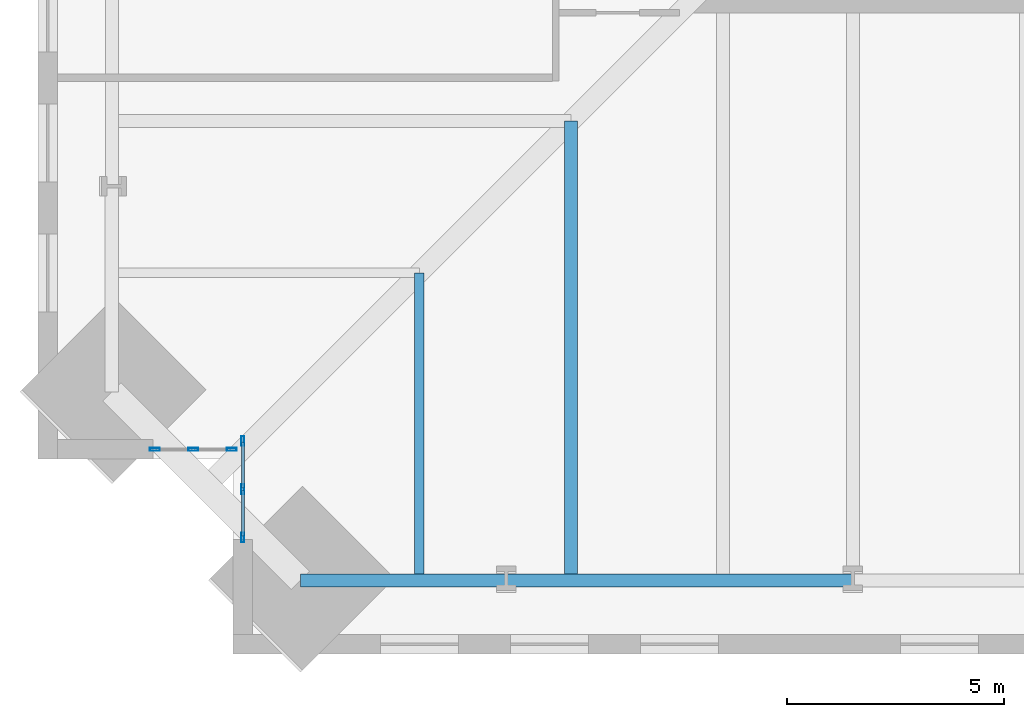
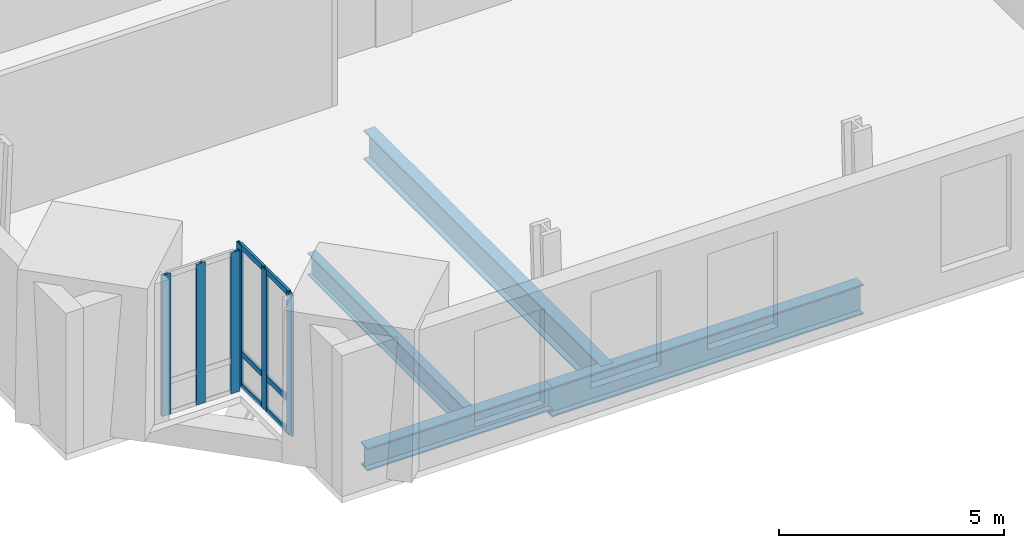
# One storey, part 2 of 17: 12 members, 4 beams, 2 elements without a shape of their own.
"""IFC4 building model written with IfcOpenShell, lengths in metres."""

from ifc_helpers import new_model, si_unit, direction, frame, origin, origin_2d, place, context, subcontext, project, spatial, hollow_rectangle, i_section, extrude, material, material_profile, profile_set, type_object, element, aggregate, save


model = new_model("IFC4")

# Units and contexts
model_context = context("Model", 3, precision=1e-05, world=origin(), true_north=direction((0.0, 1.0)))
body_context = subcontext(model_context, "Body", "Model", "MODEL_VIEW")
ifc_project = project(units=[si_unit("LENGTHUNIT", "METRE"), si_unit("AREAUNIT", "SQUARE_METRE"), si_unit("VOLUMEUNIT", "CUBIC_METRE"), si_unit("PLANEANGLEUNIT", "RADIAN"), si_unit("MASSUNIT", "GRAM", prefix="KILO")], contexts=[model_context])

# Site, building, storey
site_placement = place(None, origin())
site = spatial("IfcSite", under=ifc_project, at=site_placement, CompositionType="ELEMENT")
building_placement = place(site_placement, origin())
building = spatial("IfcBuilding", under=site, at=building_placement, Name="Peilmerk Tower", CompositionType="ELEMENT")
storey_placement = place(building_placement, frame((0.0, 0.0, 143.800048828125)))
storey = spatial("IfcBuildingStorey", under=building, at=storey_placement, Name="L29", CompositionType="ELEMENT", Elevation=143.800048828125)

# Beams
ifc_material_1 = material(Name="Steel S355", Category="steel")
ifc_material_profile_1 = material_profile(ifc_material_1, i_section(OverallWidth=0.219970703125, OverallDepth=0.60009765625, WebThickness=0.011962890625, FlangeThickness=0.01904296875, at=origin_2d()), Name="IPE 600")
ifc_profile_set_1 = profile_set([ifc_material_profile_1], Name="Steel S355")
beam_type_1 = type_object("IfcBeamType", Name="B10 IPE 600 floor beam", PredefinedType="BEAM", material=ifc_profile_set_1)
beam_1_placement = place(storey_placement, frame((-18.0, -18.0, -0.469970703125), z_axis=(0.0, -1.0, 0.0), x_axis=(1.0, 0.0, 0.0)))
element("IfcBeam", 1, at=beam_1_placement, inside=storey, type_object=beam_type_1, Name="Floor beam L29", PredefinedType="BEAM", context=body_context, shape_type="SweptSolid", body=[
    extrude(i_section(OverallWidth=0.219970703125, OverallDepth=0.60009765625, WebThickness=0.011962890625, FlangeThickness=0.01904296875, at=origin_2d()), origin(), (0.0, 0.0, 1.0), 7.098388671875),
])
ifc_material_profile_2 = material_profile(ifc_material_1, i_section(OverallWidth=0.302978515625, OverallDepth=0.81396484375, WebThickness=0.02099609375, FlangeThickness=0.0400390625, at=origin_2d()), Name="HEM 800")
ifc_profile_set_2 = profile_set([ifc_material_profile_2], Name="Steel S355")
beam_type_2 = type_object("IfcBeamType", Name="B15 HEM 800 edge beam", PredefinedType="SPANDREL", material=ifc_profile_set_2)
beam_2_placement = place(storey_placement, frame((-16.0, -25.098388671875, -0.5771484375), z_axis=(1.0, 0.0, 0.0), x_axis=(0.0, 1.0, 0.0)))
element("IfcBeam", 2, at=beam_2_placement, inside=storey, type_object=beam_type_2, Name="Edge beam L29", PredefinedType="SPANDREL", context=body_context, shape_type="SweptSolid", body=[
    extrude(i_section(OverallWidth=0.302978515625, OverallDepth=0.81396484375, WebThickness=0.02099609375, FlangeThickness=0.0400390625, at=origin_2d()), origin(), (0.0, 0.0, 1.0), 8.0),
])
ifc_material_profile_3 = material_profile(ifc_material_1, i_section(OverallWidth=0.300048828125, OverallDepth=0.7900390625, WebThickness=0.014892578125, FlangeThickness=0.028076171875, at=origin_2d()), Name="HEA 800")
ifc_profile_set_3 = profile_set([ifc_material_profile_3], Name="Steel S355")
beam_type_3 = type_object("IfcBeamType", Name="B3 HEA 800 floor beam", PredefinedType="BEAM", material=ifc_profile_set_3)
beam_3_placement = place(storey_placement, frame((-14.5, -14.5, -0.56494140625), z_axis=(0.0, -1.0, 0.0), x_axis=(1.0, 0.0, 0.0)))
element("IfcBeam", 3, at=beam_3_placement, inside=storey, type_object=beam_type_3, Name="Floor beam L29", PredefinedType="BEAM", context=body_context, shape_type="SweptSolid", body=[
    extrude(i_section(OverallWidth=0.300048828125, OverallDepth=0.7900390625, WebThickness=0.014892578125, FlangeThickness=0.028076171875, at=origin_2d()), origin(), (0.0, 0.0, 1.0), 10.598388671875),
])
ifc_material_profile_4 = material_profile(ifc_material_1, i_section(OverallWidth=0.304931640625, OverallDepth=0.6201171875, WebThickness=0.02099609375, FlangeThickness=0.0400390625, at=origin_2d()), Name="HEM 600")
ifc_profile_set_4 = profile_set([ifc_material_profile_4], Name="Steel S355")
beam_type_4 = type_object("IfcBeamType", Name="B31 HEM 600 edge beam", PredefinedType="SPANDREL", material=ifc_profile_set_4)
beam_4_placement = place(storey_placement, frame((-20.748291015625, -25.098388671875, -0.47998046875), z_axis=(1.0, 0.0, 0.0), x_axis=(0.0, 1.0, 0.0)))
element("IfcBeam", 4, at=beam_4_placement, inside=storey, type_object=beam_type_4, Name="Edge beam L29", PredefinedType="SPANDREL", context=body_context, shape_type="SweptSolid", body=[
    extrude(i_section(OverallWidth=0.304931640625, OverallDepth=0.6201171875, WebThickness=0.02099609375, FlangeThickness=0.0400390625, at=origin_2d()), origin(), (0.0, 0.0, 1.0), 4.748291015625),
])

# Curtain wall, members
ifc_material_2 = material(Name="Aluminium stick curtain wall", Category="aluminium")
curtain_wall_type = type_object("IfcCurtainWallType", Name="CW3 stick curtain wall, 2250 module", PredefinedType="NOTDEFINED", material=ifc_material_2)
curtain_wall_1_placement = place(storey_placement, origin())
curtain_wall_1 = element("IfcCurtainWall", 5, at=curtain_wall_1_placement, inside=storey, type_object=curtain_wall_type, Name="Curtain wall CW3 SWA L29", PredefinedType="NOTDEFINED")
ifc_material_3 = material(Name="Aluminium EN AW-6063 T6", Category="aluminium")
ifc_material_profile_5 = material_profile(ifc_material_3, hollow_rectangle(XDim=0.06494140625, YDim=0.22509765625, WallThickness=0.00390625, at=origin_2d()), Name="AL 225x65x4")
ifc_profile_set_5 = profile_set([ifc_material_profile_5], Name="Aluminium EN AW-6063 T6")
member_type_1 = type_object("IfcMemberType", Name="CW3-M AL 225x65x4 mullion", PredefinedType="MULLION", material=ifc_profile_set_5)
member_1_placement = place(storey_placement, frame((-22.074951171875, -21.882568359375, 0.0), z_axis=(0.0, 0.0, 1.0), x_axis=(1.0, 0.0, 0.0)))
member_1 = element("IfcMember", 6, at=member_1_placement, type_object=member_type_1, Name="CW3 mullion 1", PredefinedType="MULLION", context=body_context, shape_type="SweptSolid", body=[
    extrude(hollow_rectangle(XDim=0.06494140625, YDim=0.22509765625, WallThickness=0.00390625, at=origin_2d()), origin(), (0.0, 0.0, 1.0), 3.829833984375),
])
member_2_placement = place(storey_placement, frame((-22.074951171875, -22.994384765625, 0.0), z_axis=(0.0, 0.0, 1.0), x_axis=(1.0, 0.0, 0.0)))
member_2 = element("IfcMember", 7, at=member_2_placement, type_object=member_type_1, Name="CW3 mullion 2", PredefinedType="MULLION", context=body_context, shape_type="SweptSolid", body=[
    extrude(hollow_rectangle(XDim=0.06494140625, YDim=0.22509765625, WallThickness=0.00390625, at=origin_2d()), origin(), (0.0, 0.0, 1.0), 3.829833984375),
])
member_3_placement = place(storey_placement, frame((-22.074951171875, -24.106201171875, 0.0), z_axis=(0.0, 0.0, 1.0), x_axis=(1.0, 0.0, 0.0)))
member_3 = element("IfcMember", 8, at=member_3_placement, type_object=member_type_1, Name="CW3 mullion 3", PredefinedType="MULLION", context=body_context, shape_type="SweptSolid", body=[
    extrude(hollow_rectangle(XDim=0.06494140625, YDim=0.22509765625, WallThickness=0.00390625, at=origin_2d()), origin(), (0.0, 0.0, 1.0), 3.829833984375),
])

curtain_wall_2_placement = place(storey_placement, origin())
curtain_wall_2 = element("IfcCurtainWall", 9, at=curtain_wall_2_placement, inside=storey, type_object=curtain_wall_type, Name="Curtain wall CW3 SWB L29", PredefinedType="NOTDEFINED")
member_4_placement = place(storey_placement, frame((-22.33251953125, -22.074951171875, 0.0), z_axis=(0.0, 0.0, 1.0), x_axis=(0.0, -1.0, 0.0)))
member_4 = element("IfcMember", 10, at=member_4_placement, type_object=member_type_1, Name="CW3 mullion 1", PredefinedType="MULLION", context=body_context, shape_type="SweptSolid", body=[
    extrude(hollow_rectangle(XDim=0.06494140625, YDim=0.22509765625, WallThickness=0.00390625, at=origin_2d()), origin(), (0.0, 0.0, 1.0), 3.829833984375),
])
member_5_placement = place(storey_placement, frame((-23.21923828125, -22.074951171875, 0.0), z_axis=(0.0, 0.0, 1.0), x_axis=(0.0, -1.0, 0.0)))
member_5 = element("IfcMember", 11, at=member_5_placement, type_object=member_type_1, Name="CW3 mullion 2", PredefinedType="MULLION", context=body_context, shape_type="SweptSolid", body=[
    extrude(hollow_rectangle(XDim=0.06494140625, YDim=0.22509765625, WallThickness=0.00390625, at=origin_2d()), origin(), (0.0, 0.0, 1.0), 3.829833984375),
])
member_6_placement = place(storey_placement, frame((-24.106201171875, -22.074951171875, 0.0), z_axis=(0.0, 0.0, 1.0), x_axis=(0.0, -1.0, 0.0)))
member_6 = element("IfcMember", 12, at=member_6_placement, type_object=member_type_1, Name="CW3 mullion 3", PredefinedType="MULLION", context=body_context, shape_type="SweptSolid", body=[
    extrude(hollow_rectangle(XDim=0.06494140625, YDim=0.22509765625, WallThickness=0.00390625, at=origin_2d()), origin(), (0.0, 0.0, 1.0), 3.829833984375),
])
aggregate(curtain_wall_2, [member_4, member_5, member_6])

# Member
ifc_material_profile_6 = material_profile(ifc_material_3, hollow_rectangle(XDim=0.06494140625, YDim=0.14990234375, WallThickness=0.0029296875, at=origin_2d()), Name="AL 150x65x3")
ifc_profile_set_6 = profile_set([ifc_material_profile_6], Name="Aluminium EN AW-6063 T6")
member_type_2 = type_object("IfcMemberType", Name="CW3-T AL 150x65x3 transom", PredefinedType="USERDEFINED", material=ifc_profile_set_6)
member_7_placement = place(storey_placement, frame((-22.074951171875, -21.9150390625, 0.032470703125), z_axis=(0.0, -1.0, 0.0), x_axis=(1.0, 0.0, 0.0)))
member_7 = element("IfcMember", 13, at=member_7_placement, type_object=member_type_2, Name="CW3 transom 1.1", ObjectType="TRANSOM", PredefinedType="USERDEFINED", context=body_context, shape_type="SweptSolid", body=[
    extrude(hollow_rectangle(XDim=0.06494140625, YDim=0.14990234375, WallThickness=0.0029296875, at=origin_2d()), origin(), (0.0, 0.0, 1.0), 1.046875),
])

member_8_placement = place(storey_placement, frame((-22.074951171875, -21.9150390625, 0.89990234375), z_axis=(0.0, -1.0, 0.0), x_axis=(1.0, 0.0, 0.0)))
member_8 = element("IfcMember", 14, at=member_8_placement, type_object=member_type_2, Name="CW3 transom 1.2", ObjectType="TRANSOM", PredefinedType="USERDEFINED", context=body_context, shape_type="SweptSolid", body=[
    extrude(hollow_rectangle(XDim=0.06494140625, YDim=0.14990234375, WallThickness=0.0029296875, at=origin_2d()), origin(), (0.0, 0.0, 1.0), 1.046875),
])

member_9_placement = place(storey_placement, frame((-22.074951171875, -21.9150390625, 3.79736328125), z_axis=(0.0, -1.0, 0.0), x_axis=(1.0, 0.0, 0.0)))
member_9 = element("IfcMember", 15, at=member_9_placement, type_object=member_type_2, Name="CW3 transom 1.3", ObjectType="TRANSOM", PredefinedType="USERDEFINED", context=body_context, shape_type="SweptSolid", body=[
    extrude(hollow_rectangle(XDim=0.06494140625, YDim=0.14990234375, WallThickness=0.0029296875, at=origin_2d()), origin(), (0.0, 0.0, 1.0), 1.046875),
])

member_10_placement = place(storey_placement, frame((-22.074951171875, -23.02685546875, 0.032470703125), z_axis=(0.0, -1.0, 0.0), x_axis=(1.0, 0.0, 0.0)))
member_10 = element("IfcMember", 16, at=member_10_placement, type_object=member_type_2, Name="CW3 transom 2.1", ObjectType="TRANSOM", PredefinedType="USERDEFINED", context=body_context, shape_type="SweptSolid", body=[
    extrude(hollow_rectangle(XDim=0.06494140625, YDim=0.14990234375, WallThickness=0.0029296875, at=origin_2d()), origin(), (0.0, 0.0, 1.0), 1.046875),
])

member_11_placement = place(storey_placement, frame((-22.074951171875, -23.02685546875, 0.89990234375), z_axis=(0.0, -1.0, 0.0), x_axis=(1.0, 0.0, 0.0)))
member_11 = element("IfcMember", 17, at=member_11_placement, type_object=member_type_2, Name="CW3 transom 2.2", ObjectType="TRANSOM", PredefinedType="USERDEFINED", context=body_context, shape_type="SweptSolid", body=[
    extrude(hollow_rectangle(XDim=0.06494140625, YDim=0.14990234375, WallThickness=0.0029296875, at=origin_2d()), origin(), (0.0, 0.0, 1.0), 1.046875),
])

member_12_placement = place(storey_placement, frame((-22.074951171875, -23.02685546875, 3.79736328125), z_axis=(0.0, -1.0, 0.0), x_axis=(1.0, 0.0, 0.0)))
member_12 = element("IfcMember", 18, at=member_12_placement, type_object=member_type_2, Name="CW3 transom 2.3", ObjectType="TRANSOM", PredefinedType="USERDEFINED", context=body_context, shape_type="SweptSolid", body=[
    extrude(hollow_rectangle(XDim=0.06494140625, YDim=0.14990234375, WallThickness=0.0029296875, at=origin_2d()), origin(), (0.0, 0.0, 1.0), 1.046875),
])

aggregate(curtain_wall_1, [member_1, member_2, member_3, member_7, member_8, member_9, member_10, member_11, member_12])

save(model, "model.ifc")
